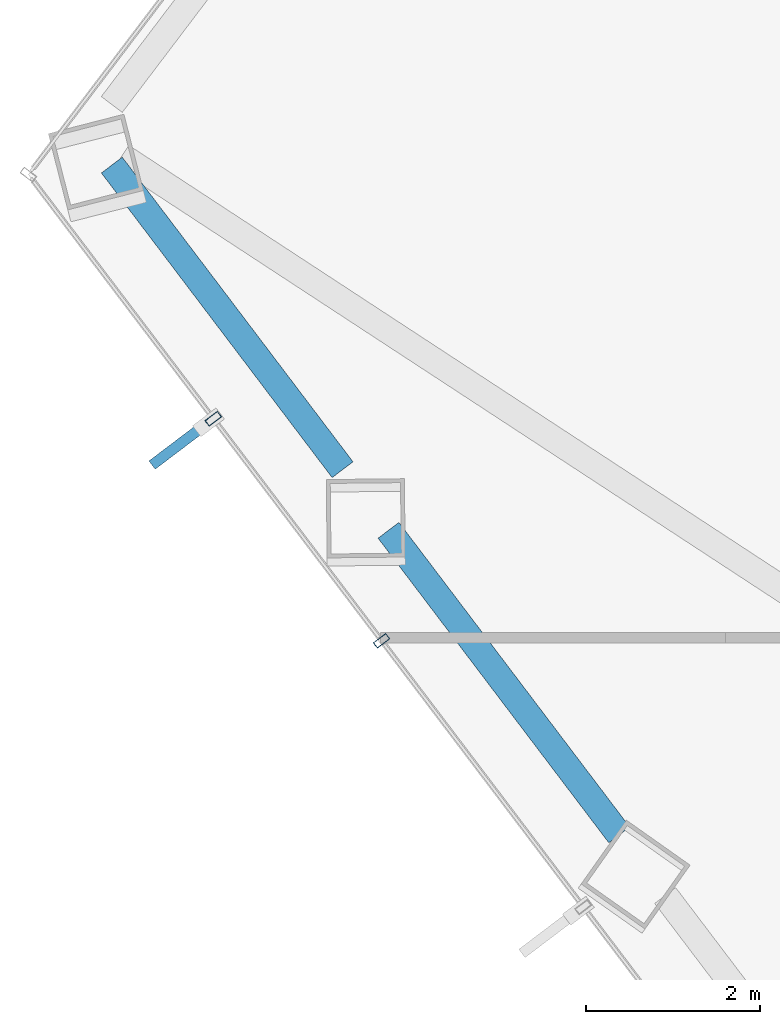
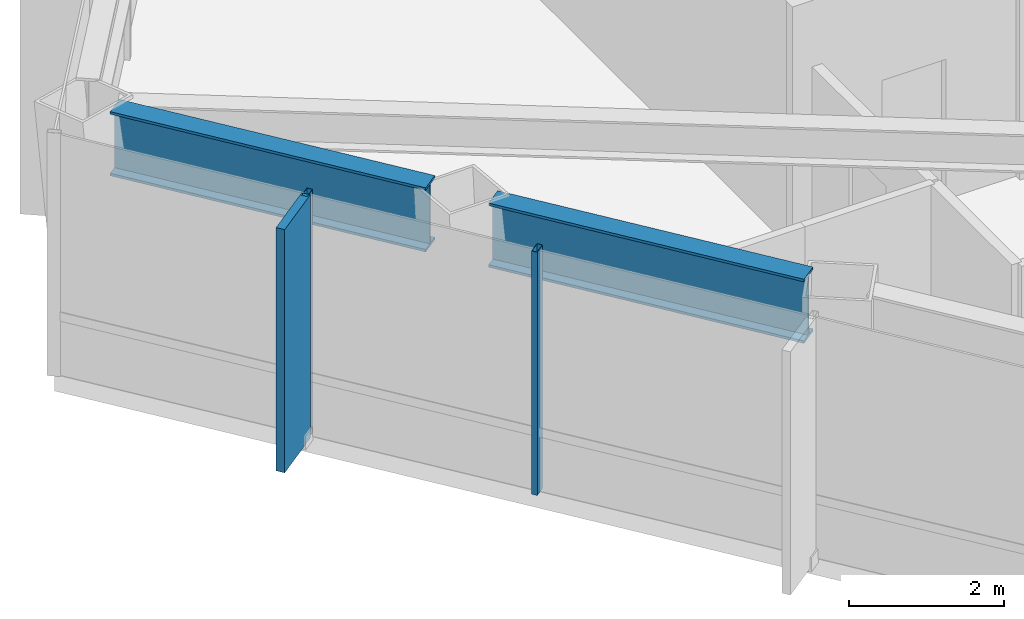
# One storey, part 4 of 27: 3 members, 2 beams, 1 element without a shape of its own.
"""IFC4 building model written with IfcOpenShell, lengths in metres."""

from ifc_helpers import new_model, si_unit, direction, frame, origin, origin_2d, place, context, subcontext, project, spatial, rectangle, hollow_rectangle, i_section, extrude, material, layer, layer_set, material_profile, profile_set, type_object, element, aggregate, save


model = new_model("IFC4")

# Units and contexts
model_context = context("Model", 3, precision=1e-05, world=origin(), true_north=direction((0.0, 1.0)))
body_context = subcontext(model_context, "Body", "Model", "MODEL_VIEW")
ifc_project = project(units=[si_unit("LENGTHUNIT", "METRE"), si_unit("AREAUNIT", "SQUARE_METRE"), si_unit("VOLUMEUNIT", "CUBIC_METRE"), si_unit("PLANEANGLEUNIT", "RADIAN"), si_unit("MASSUNIT", "GRAM", prefix="KILO")], contexts=[model_context])

# Site, building, storey
site_placement = place(None, origin())
site = spatial("IfcSite", under=ifc_project, at=site_placement, CompositionType="ELEMENT")
building_placement = place(site_placement, origin())
building = spatial("IfcBuilding", under=site, at=building_placement, Name="Zarrinselat Tower", CompositionType="ELEMENT")
storey_placement = place(building_placement, frame((0.0, 0.0, 80.580078125)))
storey = spatial("IfcBuildingStorey", under=building, at=storey_placement, Name="L19", CompositionType="ELEMENT", Elevation=80.580078125)

# Beams
ifc_material_1 = material(Name="Steel S460M", Category="steel")
ifc_material_profile_1 = material_profile(ifc_material_1, i_section(OverallWidth=0.302001953125, OverallDepth=1.008056640625, WebThickness=0.02099609375, FlangeThickness=0.0400390625, at=origin_2d()), Name="HEM 1000")
ifc_profile_set_1 = profile_set([ifc_material_profile_1], Name="Steel S460M")
beam_type = type_object("IfcBeamType", Name="BM-HEM1000", PredefinedType="BEAM", material=ifc_profile_set_1)
beam_1_placement = place(storey_placement, frame((16.427734375, 35.5966796875, 3.31591796875), z_axis=(0.603824602706, -0.797117211687, 0.0), x_axis=(0.797117211687, 0.603824602706, 0.0)))
element("IfcBeam", 1, at=beam_1_placement, inside=storey, type_object=beam_type, Name="L19 Perimeter Spandrel Girder SP06", PredefinedType="BEAM", context=body_context, shape_type="SweptSolid", body=[
    extrude(i_section(OverallWidth=0.302001953125, OverallDepth=1.008056640625, WebThickness=0.02099609375, FlangeThickness=0.0400390625, at=origin_2d()), origin(), (0.0, 0.0, 1.0), 4.404296875),
])
beam_2_placement = place(storey_placement, frame((19.6162109375, 31.3876953125, 3.31591796875), z_axis=(0.603859822423, -0.797090531159, 0.0), x_axis=(0.797090531159, 0.603859822423, 0.0)))
element("IfcBeam", 2, at=beam_2_placement, inside=storey, type_object=beam_type, Name="L19 Perimeter Spandrel Girder SP07", PredefinedType="BEAM", context=body_context, shape_type="SweptSolid", body=[
    extrude(i_section(OverallWidth=0.302001953125, OverallDepth=1.008056640625, WebThickness=0.02099609375, FlangeThickness=0.0400390625, at=origin_2d()), origin(), (0.0, 0.0, 1.0), 4.404541015625),
])

# Curtain wall, members
ifc_material_2 = material(Name="Extruded Aluminium Alloy EN AW-6063 T6", Category="aluminium")
ifc_layer = layer(ifc_material_2, 0.18505859375)
ifc_layer_set = layer_set([ifc_layer], Name="Extruded Aluminium Alloy EN AW-6063 T6")
curtain_wall_type = type_object("IfcCurtainWallType", Name="CWS-OFF", PredefinedType="NOTDEFINED", material=ifc_layer_set)
curtain_wall_placement = place(storey_placement, origin())
curtain_wall = element("IfcCurtainWall", 3, at=curtain_wall_placement, inside=storey, type_object=curtain_wall_type, Name="L19 Unitised Curtain Wall CW-L19-E03", PredefinedType="NOTDEFINED")
ifc_material_3 = material(Name="Extruded Aluminium Alloy EN AW-6063 T6", Category="aluminium")
ifc_material_profile_2 = material_profile(ifc_material_3, hollow_rectangle(XDim=0.080078125, YDim=0.179931640625, WallThickness=0.0048828125, at=origin_2d()), Name="RHS 180x80x5")
ifc_profile_set_2 = profile_set([ifc_material_profile_2], Name="Extruded Aluminium Alloy EN AW-6063 T6")
member_type_1 = type_object("IfcMemberType", Name="MEM-CW-MUL", PredefinedType="MULLION", material=ifc_profile_set_2)
member_1_placement = place(storey_placement, frame((17.596923828125, 32.673095703125, 0.0), z_axis=(0.0, 0.0, 1.0), x_axis=(0.603854869931, -0.797094283044, 0.0)))
member_1 = element("IfcMember", 4, at=member_1_placement, type_object=member_type_1, Name="CW-L19-E03 Mullion 1", PredefinedType="MULLION", context=body_context, shape_type="SweptSolid", body=[
    extrude(hollow_rectangle(XDim=0.080078125, YDim=0.179931640625, WallThickness=0.0048828125, at=origin_2d()), origin(), (0.0, 0.0, 1.0), 3.81982421875),
])
member_2_placement = place(storey_placement, frame((19.535888671875, 30.11376953125, 0.0), z_axis=(0.0, 0.0, 1.0), x_axis=(0.603854869931, -0.797094283044, 0.0)))
member_2 = element("IfcMember", 5, at=member_2_placement, type_object=member_type_1, Name="CW-L19-E03 Mullion 2", PredefinedType="MULLION", context=body_context, shape_type="SweptSolid", body=[
    extrude(hollow_rectangle(XDim=0.080078125, YDim=0.179931640625, WallThickness=0.0048828125, at=origin_2d()), origin(), (0.0, 0.0, 1.0), 3.81982421875),
])
ifc_material_4 = material(Name="Honed Cream Travertine Stone", Category="masonry")
ifc_material_profile_3 = material_profile(ifc_material_4, rectangle(XDim=0.1201171875, YDim=0.85009765625, at=origin_2d()), Name="FIN 850x120")
ifc_profile_set_3 = profile_set([ifc_material_profile_3], Name="Honed Cream Travertine Stone")
member_type_2 = type_object("IfcMemberType", Name="MEM-STONE-FIN", PredefinedType="USERDEFINED", material=ifc_profile_set_3)
member_3_placement = place(storey_placement, frame((17.230224609375, 32.3955078125, 0.0), z_axis=(0.0, 0.0, 1.0), x_axis=(-0.603854869931, 0.797094283044, 0.0)))
member_3 = element("IfcMember", 6, at=member_3_placement, type_object=member_type_2, Name="L19 Stone Shading Fin CW-L19-E03-01", ObjectType="FIN", PredefinedType="USERDEFINED", context=body_context, shape_type="SweptSolid", body=[
    extrude(rectangle(XDim=0.1201171875, YDim=0.85009765625, at=origin_2d()), origin(), (0.0, 0.0, 1.0), 3.81982421875),
])
aggregate(curtain_wall, [member_1, member_3, member_2])

save(model, "model.ifc")
